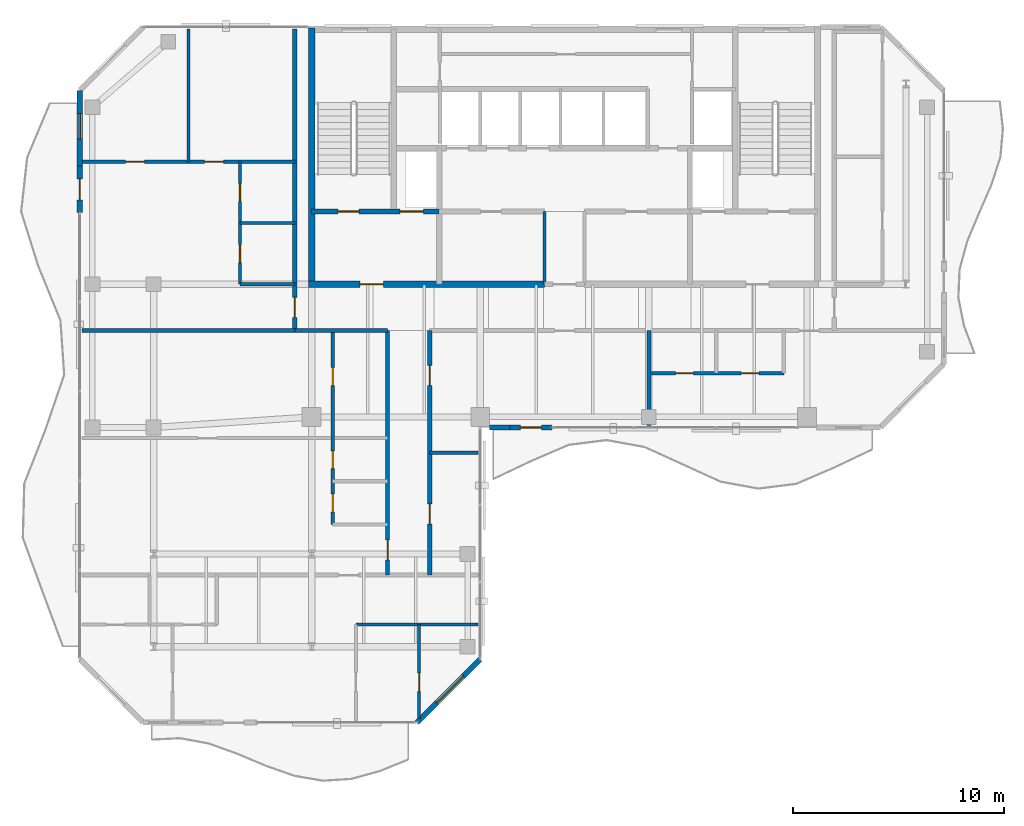
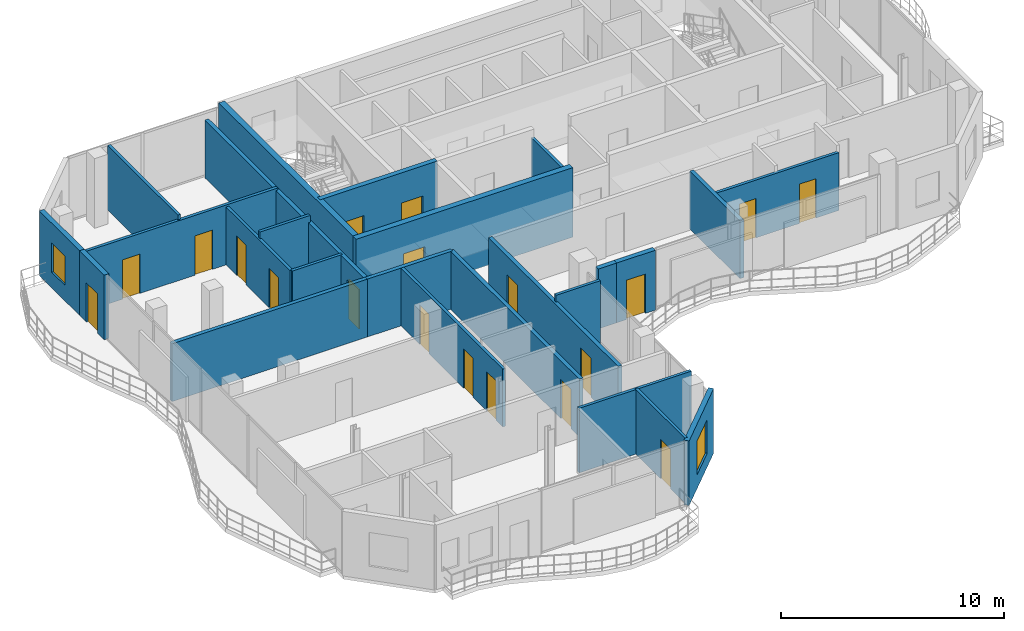
# One storey, part 18 of 23: 25 walls, 19 doors, 2 windows, 21 openings.
"""IFC4 building model written with IfcOpenShell, lengths in metres."""

import ifcopenshell
import ifcopenshell.guid

model = None  # the IFC model being written
_history = None  # IfcOwnerHistory: only IFC2X3 demands one
_inside = {}  # id of a spatial element -> (the spatial element, [elements in it])
_under = {}  # id of a project, library or spatial element -> (it, [spatial elements below it])
_declared = {}  # id of a project -> (the project, [libraries it declares])
_typed = {}  # id of a type object -> (the type object, [elements of that type])
_made_of = {}  # id of a material, layer set ... -> (it, [elements and type objects made of it])


def new_model(schema):
    """Start an empty IFC model of exactly this schema.

    Asked for "IFC4X3", IfcOpenShell would pick the latest addendum, in which some entities
    have other attributes; the version numbers below select the first issue.
    IFC2X3 requires an IfcOwnerHistory on every rooted entity: one is made here for all.
    """
    global model, _history
    if schema == "IFC4X3":
        model = ifcopenshell.file(schema_version=(4, 3, 0, 0))
    else:
        model = ifcopenshell.file(schema=schema)
    _inside.clear()
    _under.clear()
    _declared.clear()
    _typed.clear()
    _made_of.clear()
    _history = None
    if model.schema == "IFC2X3":
        org = make("IfcOrganization", Name="unknown")
        user = make(
            "IfcPersonAndOrganization",
            ThePerson=make("IfcPerson", FamilyName="unknown"),
            TheOrganization=org,
        )
        app = make(
            "IfcApplication",
            ApplicationDeveloper=org,
            Version="unknown",
            ApplicationFullName="unknown",
            ApplicationIdentifier="unknown",
        )
        _history = make(
            "IfcOwnerHistory",
            OwningUser=user,
            OwningApplication=app,
            ChangeAction="ADDED",
            CreationDate=0,
        )
    return model


def make(cls, **values):
    """One entity of the class cls with the attributes given. An attribute that is None is left unset."""
    return model.create_entity(
        cls, **{name: value for name, value in values.items() if value is not None}
    )


def rooted(cls, **values):
    """An entity with a GlobalId (a new one), such as an element, a storey or a relation."""
    return make(cls, GlobalId=ifcopenshell.guid.new(), OwnerHistory=_history, **values)


def si_unit(unit_type, name, prefix=None):
    """IfcSIUnit, for example si_unit("LENGTHUNIT", "METRE", prefix="MILLI")."""
    return make("IfcSIUnit", UnitType=unit_type, Prefix=prefix, Name=name)


def assignment(units):
    """IfcUnitAssignment: the units of a project."""
    return None if units is None else make("IfcUnitAssignment", Units=units)


def point(xyz):
    """IfcCartesianPoint."""
    return None if xyz is None else make("IfcCartesianPoint", Coordinates=xyz)


def direction(xyz):
    """IfcDirection."""
    return None if xyz is None else make("IfcDirection", DirectionRatios=xyz)


def frame(location, z_axis=None, x_axis=None):
    """IfcAxis2Placement3D, a coordinate frame: its origin and axes. An axis left out is left unset."""
    return make(
        "IfcAxis2Placement3D",
        Location=point(location),
        Axis=direction(z_axis),
        RefDirection=direction(x_axis),
    )


def frame_2d(location, x_axis=None):
    """IfcAxis2Placement2D, a coordinate frame in the plane: its origin and x axis."""
    return make(
        "IfcAxis2Placement2D", Location=point(location), RefDirection=direction(x_axis)
    )


def origin():
    """The frame at (0, 0, 0) with its axes left unset."""
    return frame((0.0, 0.0, 0.0))


def place(relative_to, where):
    """IfcLocalPlacement: puts the frame where relative to a parent placement (None: the world)."""
    return make(
        "IfcLocalPlacement", PlacementRelTo=relative_to, RelativePlacement=where
    )


def context(
    kind, dimensions, precision=None, world=None, true_north=None, identifier=None
):
    """IfcGeometricRepresentationContext, for example the 3D "Model" context."""
    return make(
        "IfcGeometricRepresentationContext",
        ContextIdentifier=identifier,
        ContextType=kind,
        CoordinateSpaceDimension=dimensions,
        Precision=precision,
        WorldCoordinateSystem=world,
        TrueNorth=true_north,
    )


def subcontext(parent, identifier, kind, view, scale=None):
    """IfcGeometricRepresentationSubContext, for example "Body" below "Model"."""
    return make(
        "IfcGeometricRepresentationSubContext",
        ContextIdentifier=identifier,
        ContextType=kind,
        ParentContext=parent,
        TargetScale=scale,
        TargetView=view,
    )


def project(units=None, contexts=None):
    """IfcProject with its units and contexts."""
    return rooted(
        "IfcProject",
        Name="project",
        RepresentationContexts=contexts,
        UnitsInContext=assignment(units),
    )


def spatial(cls, under=None, at=None, **own):
    """A site, building, storey or space (cls), placed at a placement, below another one or the project."""
    s = rooted(cls, ObjectPlacement=at, **own)
    if under is not None:
        _under.setdefault(under.id(), (under, []))[1].append(s)
    return s


def profile(cls, at=None, kind="AREA", **sizes):
    """A parametric profile (cls). Its sizes go by their IFC names, for example OverallWidth=200.0."""
    return make(cls, ProfileType=kind, Position=at, **sizes)


def rectangle(**sizes):
    """IfcRectangleProfileDef."""
    return profile("IfcRectangleProfileDef", **sizes)


def extrude(swept, where, along, depth):
    """IfcExtrudedAreaSolid: the profile swept, set in the frame where, extruded along a direction by depth."""
    return make(
        "IfcExtrudedAreaSolid",
        SweptArea=swept,
        Position=where,
        ExtrudedDirection=direction(along),
        Depth=depth,
    )


def shape(context_of_items, identifier, shape_type, items):
    """IfcShapeRepresentation: the items that make up one representation, for example the "Body"."""
    return make(
        "IfcShapeRepresentation",
        ContextOfItems=context_of_items,
        RepresentationIdentifier=identifier,
        RepresentationType=shape_type,
        Items=items,
    )


def material(Name=None, Category=None):
    """IfcMaterial."""
    return make("IfcMaterial", Name=Name, Category=Category)


def layer(
    of_material, thickness, ventilated=None, Name=None, Category=None, Priority=None
):
    """IfcMaterialLayer: one layer of a wall or slab, of a material (None: an air gap)."""
    return make(
        "IfcMaterialLayer",
        Material=of_material,
        LayerThickness=thickness,
        IsVentilated=ventilated,
        Name=Name,
        Category=Category,
        Priority=Priority,
    )


def layer_set(layers, Name=None):
    """IfcMaterialLayerSet."""
    return make("IfcMaterialLayerSet", MaterialLayers=layers, LayerSetName=Name)


def made_of(thing, what):
    """Note that an element or type object is made of a material, layer set ...; save() writes the relation."""
    if what is not None:
        _made_of.setdefault(what.id(), (what, []))[1].append(thing)
    return thing


def type_object(cls, material=None, **own):
    """A type object (cls), such as IfcWallType, which elements share."""
    return made_of(rooted(cls, **own), material)


def element(
    cls,
    number,
    at=None,
    inside=None,
    cuts=None,
    type_object=None,
    material=None,
    context=None,
    identifier="Body",
    shape_type=None,
    held_by="IfcProductDefinitionShape",
    body=None,
    shapes=None,
    **own,
):
    """One element of the class cls, such as IfcWall. Its Tag is "e" and its number.

    at: its placement. inside: the storey or other place that contains it. cuts: it is an
    opening in that element (IfcRelVoidsElement). A single representation is given by context,
    identifier, shape_type and body (its items); several are given by shapes. held_by: the class
    of the entity that holds the representations. save() writes the other relations.
    """
    e = rooted(cls, Tag="e%d" % number, ObjectPlacement=at, **own)
    if body is not None:
        shapes = [shape(context, identifier, shape_type, body)]
    if shapes is not None:
        e.Representation = make(held_by, Representations=shapes)
    if inside is not None:
        _inside.setdefault(inside.id(), (inside, []))[1].append(e)
    if cuts is not None:
        rooted(
            "IfcRelVoidsElement", RelatingBuildingElement=cuts, RelatedOpeningElement=e
        )
    if type_object is not None:
        _typed.setdefault(type_object.id(), (type_object, []))[1].append(e)
    return made_of(e, material)


def fill(opening, filler):
    """IfcRelFillsElement: the door or window that sits in an opening."""
    return rooted(
        "IfcRelFillsElement",
        RelatingOpeningElement=opening,
        RelatedBuildingElement=filler,
    )


def aggregate(whole, parts):
    """IfcRelAggregates: a whole, such as a stair, and the parts it consists of."""
    return rooted("IfcRelAggregates", RelatingObject=whole, RelatedObjects=parts)


def save(model, path):
    """Write the relations noted so far, then the file.

    IfcRelAggregates (storeys below a building ...), IfcRelContainedInSpatialStructure (elements
    in a storey), IfcRelDefinesByType, IfcRelAssociatesMaterial and IfcRelDeclares: one each for
    every whole, place, type object, material and project.
    """
    for whole, parts in _under.values():
        aggregate(whole, parts)
    for where, things in _inside.values():
        rooted(
            "IfcRelContainedInSpatialStructure",
            RelatedElements=things,
            RelatingStructure=where,
        )
    for kind, things in _typed.values():
        rooted("IfcRelDefinesByType", RelatedObjects=things, RelatingType=kind)
    for what, things in _made_of.values():
        rooted("IfcRelAssociatesMaterial", RelatedObjects=things, RelatingMaterial=what)
    for by, libraries in _declared.values():
        rooted("IfcRelDeclares", RelatingContext=by, RelatedDefinitions=libraries)
    model.write(path)


model = new_model("IFC4")

# Units and contexts
model_context = context("Model", 3, precision=1e-05, world=origin(), true_north=direction((0.0, 1.0)))
body_context = subcontext(model_context, "Body", "Model", "MODEL_VIEW")
ifc_project = project(units=[si_unit("LENGTHUNIT", "METRE"), si_unit("AREAUNIT", "SQUARE_METRE"), si_unit("VOLUMEUNIT", "CUBIC_METRE"), si_unit("PLANEANGLEUNIT", "RADIAN"), si_unit("MASSUNIT", "GRAM", prefix="KILO")], contexts=[model_context])

# Site, building, storey
site_placement = place(None, origin())
site = spatial("IfcSite", under=ifc_project, at=site_placement, CompositionType="ELEMENT")
building_placement = place(site_placement, origin())
building = spatial("IfcBuilding", under=site, at=building_placement, Name="Catumbela Crestline Tower", CompositionType="ELEMENT")
storey_placement = place(building_placement, frame((0.0, 0.0, 252.6)))
storey = spatial("IfcBuildingStorey", under=building, at=storey_placement, Name="L65", CompositionType="ELEMENT", Elevation=252.6)

# Wall, openings, doors
ifc_material_1 = material(Name="Concrete C50/60", Category="concrete")
ifc_layer_1 = layer(ifc_material_1, 0.25, Name="Concrete C50/60")
ifc_layer_set_1 = layer_set([ifc_layer_1], Name="Concrete C50/60")
wall_type_1 = type_object("IfcWallType", Name="CW-250D", PredefinedType="SHEAR", material=ifc_layer_set_1)
wall_1_placement = place(storey_placement, frame((16.0, 34.25, 0.0), z_axis=(0.0, 0.0, 1.0), x_axis=(1.0, 0.0, 0.0)))
wall_1 = element("IfcWall", 1, at=wall_1_placement, inside=storey, type_object=wall_type_1, Name="L65 Structural Core Shear Wall ST1S", PredefinedType="SHEAR", context=body_context, shape_type="SweptSolid", body=[
    extrude(rectangle(XDim=6.05, YDim=0.25, at=frame_2d((3.025, 0.0))), origin(), (0.0, 0.0, 1.0), 3.8),
])
opening_1_placement = place(wall_1_placement, frame((1.25, 0.0, 0.0)))
opening_1 = element("IfcOpeningElement", 2, at=opening_1_placement, cuts=wall_1, Name="Opening DF9-100", PredefinedType="OPENING", context=body_context, shape_type="SweptSolid", body=[
    extrude(rectangle(XDim=1.0, YDim=2.15, at=frame_2d((0.5, 1.075))), frame((0.0, 0.135, 0.0), z_axis=(0.0, -1.0, 0.0), x_axis=(1.0, 0.0, 0.0)), (0.0, 0.0, 1.0), 0.27),
])
opening_2_placement = place(wall_1_placement, frame((4.2, 0.0, 0.0)))
opening_2 = element("IfcOpeningElement", 3, at=opening_2_placement, cuts=wall_1, Name="Opening LD-110", PredefinedType="OPENING", context=body_context, shape_type="SweptSolid", body=[
    extrude(rectangle(XDim=1.1, YDim=2.15, at=frame_2d((0.55, 1.075))), frame((0.0, 0.135, 0.0), z_axis=(0.0, -1.0, 0.0), x_axis=(1.0, 0.0, 0.0)), (0.0, 0.0, 1.0), 0.27),
])
ifc_material_2 = material(Name="Stainless steel EN 1.4401", Category="steel")
door_type_1 = type_object("IfcDoorType", Name="DF9-100", OperationType="NOTDEFINED", PredefinedType="DOOR", material=ifc_material_2)
door_1_placement = place(opening_1_placement, origin())
door_1 = element("IfcDoor", 4, at=door_1_placement, inside=storey, type_object=door_type_1, Name="L65 Interior Door DR-L65-ST01", OperationType="SINGLE_SWING_LEFT", OverallHeight=2.15, OverallWidth=1.0, PredefinedType="DOOR", context=body_context, shape_type="SweptSolid", body=[
    extrude(rectangle(XDim=1.0, YDim=2.15, at=frame_2d((0.5, 1.075))), frame((0.0, 0.025, 0.0), z_axis=(0.0, -1.0, 0.0), x_axis=(1.0, 0.0, 0.0)), (0.0, 0.0, 1.0), 0.05),
])
fill(opening_1, door_1)
door_type_2 = type_object("IfcDoorType", Name="LD-110", OperationType="NOTDEFINED", PredefinedType="DOOR", material=ifc_material_2)
door_2_placement = place(opening_2_placement, origin())
door_2 = element("IfcDoor", 5, at=door_2_placement, inside=storey, type_object=door_type_2, Name="L65 Lift Landing Sliding Door FL-01", OperationType="DOUBLE_DOOR_SLIDING", OverallHeight=2.15, OverallWidth=1.1, PredefinedType="DOOR", context=body_context, shape_type="SweptSolid", body=[
    extrude(rectangle(XDim=1.1, YDim=2.15, at=frame_2d((0.55, 1.075))), frame((0.0, 0.025, 0.0), z_axis=(0.0, -1.0, 0.0), x_axis=(1.0, 0.0, 0.0)), (0.0, 0.0, 1.0), 0.05),
])
fill(opening_2, door_2)

# Wall
ifc_material_3 = material(Name="Concrete C45/55", Category="concrete")
ifc_layer_2 = layer(ifc_material_3, 0.3, Name="Concrete C45/55")
ifc_layer_set_2 = layer_set([ifc_layer_2], Name="Concrete C45/55")
wall_type_2 = type_object("IfcWallType", Name="CW-300C", PredefinedType="SHEAR", material=ifc_layer_set_2)
wall_2_placement = place(storey_placement, frame((16.0, 30.65, 0.0), z_axis=(0.0, 0.0, 1.0), x_axis=(0.0, 1.0, 0.0)))
element("IfcWall", 6, at=wall_2_placement, inside=storey, type_object=wall_type_2, Name="L65 Structural Core Shear Wall W", PredefinedType="SHEAR", context=body_context, shape_type="SweptSolid", body=[
    extrude(rectangle(XDim=12.3, YDim=0.3, at=frame_2d((6.15, 0.0))), origin(), (0.0, 0.0, 1.0), 3.8),
])

# Wall, opening, door
wall_3_placement = place(storey_placement, frame((15.85, 30.8, 0.0), z_axis=(0.0, 0.0, 1.0), x_axis=(1.0, 0.0, 0.0)))
wall_3 = element("IfcWall", 7, at=wall_3_placement, inside=storey, type_object=wall_type_2, Name="L65 Structural Core Shear Wall SW", PredefinedType="SHEAR", context=body_context, shape_type="SweptSolid", body=[
    extrude(rectangle(XDim=11.2, YDim=0.3, at=frame_2d((5.6, 0.0))), origin(), (0.0, 0.0, 1.0), 3.8),
])
opening_3_placement = place(wall_3_placement, frame((2.45, 0.0, 0.0)))
opening_3 = element("IfcOpeningElement", 8, at=opening_3_placement, cuts=wall_3, Name="Opening DF9-110", PredefinedType="OPENING", context=body_context, shape_type="SweptSolid", body=[
    extrude(rectangle(XDim=1.1, YDim=2.15, at=frame_2d((0.55, 1.075))), frame((0.0, 0.16, 0.0), z_axis=(0.0, -1.0, 0.0), x_axis=(1.0, 0.0, 0.0)), (0.0, 0.0, 1.0), 0.32),
])
door_type_3 = type_object("IfcDoorType", Name="DF9-110", OperationType="NOTDEFINED", PredefinedType="DOOR", material=ifc_material_2)
door_3_placement = place(opening_3_placement, origin())
door_3 = element("IfcDoor", 9, at=door_3_placement, inside=storey, type_object=door_type_3, Name="L65 Interior Door DR-L65-FFW-S", OperationType="SINGLE_SWING_LEFT", OverallHeight=2.15, OverallWidth=1.1, PredefinedType="DOOR", context=body_context, shape_type="SweptSolid", body=[
    extrude(rectangle(XDim=1.1, YDim=2.15, at=frame_2d((0.55, 1.075))), frame((0.0, 0.025, 0.0), z_axis=(0.0, -1.0, 0.0), x_axis=(1.0, 0.0, 0.0)), (0.0, 0.0, 1.0), 0.05),
])
fill(opening_3, door_3)

# Wall
ifc_material_4 = material(Name="Acoustic gypsum and mineral-wool partition")
ifc_layer_3 = layer(ifc_material_4, 0.2, Name="Acoustic gypsum and mineral-wool partition")
ifc_layer_set_3 = layer_set([ifc_layer_3], Name="Acoustic gypsum and mineral-wool partition")
wall_type_3 = type_object("IfcWallType", Name="WC-200", PredefinedType="PARTITIONING", material=ifc_layer_set_3)
wall_4_placement = place(storey_placement, frame((15.2, 28.6, 0.0), z_axis=(0.0, 0.0, 1.0), x_axis=(1.0, 0.0, 0.0)))
element("IfcWall", 10, at=wall_4_placement, inside=storey, type_object=wall_type_3, Name="L65 Interior Partition PW-L65-RCWL", PredefinedType="PARTITIONING", context=body_context, shape_type="SweptSolid", body=[
    extrude(rectangle(XDim=4.4, YDim=0.2, at=frame_2d((2.2, 0.0))), origin(), (0.0, 0.0, 1.0), 3.16),
])

# Wall, opening, door
wall_5_placement = place(storey_placement, frame((15.2, 28.6, 0.0), z_axis=(0.0, 0.0, 1.0), x_axis=(0.0, 1.0, 0.0)))
wall_5 = element("IfcWall", 11, at=wall_5_placement, inside=storey, type_object=wall_type_3, Name="L65 Interior Partition PW-L65-NW1-ENT", PredefinedType="PARTITIONING", context=body_context, shape_type="SweptSolid", body=[
    extrude(rectangle(XDim=14.3, YDim=0.2, at=frame_2d((7.15, 0.0))), origin(), (0.0, 0.0, 1.0), 3.16),
])
opening_4_placement = place(wall_5_placement, frame((0.625, 0.0, 0.0)))
opening_4 = element("IfcOpeningElement", 12, at=opening_4_placement, cuts=wall_5, Name="Opening DF6-095", PredefinedType="OPENING", context=body_context, shape_type="SweptSolid", body=[
    extrude(rectangle(XDim=0.95, YDim=2.15, at=frame_2d((0.475, 1.075))), frame((0.0, 0.11, 0.0), z_axis=(0.0, -1.0, 0.0), x_axis=(1.0, 0.0, 0.0)), (0.0, 0.0, 1.0), 0.22),
])
ifc_material_5 = material(Name="Aluminium alloy AW-6060-T66", Category="aluminium")
door_type_4 = type_object("IfcDoorType", Name="DF6-095", OperationType="NOTDEFINED", PredefinedType="DOOR", material=ifc_material_5)
door_4_placement = place(opening_4_placement, origin())
door_4 = element("IfcDoor", 13, at=door_4_placement, inside=storey, type_object=door_type_4, Name="L65 Interior Door DR-L65-NW1-ENT", OperationType="SINGLE_SWING_LEFT", OverallHeight=2.15, OverallWidth=0.95, PredefinedType="DOOR", context=body_context, shape_type="SweptSolid", body=[
    extrude(rectangle(XDim=0.95, YDim=2.15, at=frame_2d((0.475, 1.075))), frame((0.0, 0.025, 0.0), z_axis=(0.0, -1.0, 0.0), x_axis=(1.0, 0.0, 0.0)), (0.0, 0.0, 1.0), 0.05),
])
fill(opening_4, door_4)

wall_6_placement = place(storey_placement, frame((19.6, 17.0, 0.0), z_axis=(0.0, 0.0, 1.0), x_axis=(0.0, 1.0, 0.0)))
wall_6 = element("IfcWall", 14, at=wall_6_placement, inside=storey, type_object=wall_type_3, Name="L65 Interior Partition PW-L65-WL1-ENT", PredefinedType="PARTITIONING", context=body_context, shape_type="SweptSolid", body=[
    extrude(rectangle(XDim=11.6, YDim=0.2, at=frame_2d((5.8, 0.0))), origin(), (0.0, 0.0, 1.0), 3.16),
])
opening_5_placement = place(wall_6_placement, frame((0.723, 0.0, 0.0)))
opening_5 = element("IfcOpeningElement", 15, at=opening_5_placement, cuts=wall_6, Name="Opening DF6-095", PredefinedType="OPENING", context=body_context, shape_type="SweptSolid", body=[
    extrude(rectangle(XDim=0.95, YDim=2.15, at=frame_2d((0.475, 1.075))), frame((0.0, 0.11, 0.0), z_axis=(0.0, -1.0, 0.0), x_axis=(1.0, 0.0, 0.0)), (0.0, 0.0, 1.0), 0.22),
])
door_5_placement = place(opening_5_placement, origin())
door_5 = element("IfcDoor", 16, at=door_5_placement, inside=storey, type_object=door_type_4, Name="L65 Interior Door DR-L65-WL1-ENT", OperationType="SINGLE_SWING_LEFT", OverallHeight=2.15, OverallWidth=0.95, PredefinedType="DOOR", context=body_context, shape_type="SweptSolid", body=[
    extrude(rectangle(XDim=0.95, YDim=2.15, at=frame_2d((0.475, 1.075))), frame((0.0, 0.025, 0.0), z_axis=(0.0, -1.0, 0.0), x_axis=(1.0, 0.0, 0.0)), (0.0, 0.0, 1.0), 0.05),
])
fill(opening_5, door_5)

# Wall, openings, doors
wall_7_placement = place(storey_placement, frame((21.6, 17.0, 0.0), z_axis=(0.0, 0.0, 1.0), x_axis=(0.0, 1.0, 0.0)))
wall_7 = element("IfcWall", 17, at=wall_7_placement, inside=storey, type_object=wall_type_3, Name="L65 Interior Partition PW-L65-RWMT-ENT", PredefinedType="PARTITIONING", context=body_context, shape_type="SweptSolid", body=[
    extrude(rectangle(XDim=11.6, YDim=0.2, at=frame_2d((5.8, 0.0))), origin(), (0.0, 0.0, 1.0), 3.16),
])
opening_6_placement = place(wall_7_placement, frame((8.9941, 0.0, 0.0)))
opening_6 = element("IfcOpeningElement", 18, at=opening_6_placement, cuts=wall_7, Name="Opening DF6-095", PredefinedType="OPENING", context=body_context, shape_type="SweptSolid", body=[
    extrude(rectangle(XDim=0.95, YDim=2.15, at=frame_2d((0.475, 1.075))), frame((0.0, 0.11, 0.0), z_axis=(0.0, -1.0, 0.0), x_axis=(1.0, 0.0, 0.0)), (0.0, 0.0, 1.0), 0.22),
])
opening_7_placement = place(wall_7_placement, frame((2.425, 0.0, 0.0)))
opening_7 = element("IfcOpeningElement", 19, at=opening_7_placement, cuts=wall_7, Name="Opening DF6-095", PredefinedType="OPENING", context=body_context, shape_type="SweptSolid", body=[
    extrude(rectangle(XDim=0.95, YDim=2.15, at=frame_2d((0.475, 1.075))), frame((0.0, 0.11, 0.0), z_axis=(0.0, -1.0, 0.0), x_axis=(1.0, 0.0, 0.0)), (0.0, 0.0, 1.0), 0.22),
])
door_6_placement = place(opening_6_placement, origin())
door_6 = element("IfcDoor", 20, at=door_6_placement, inside=storey, type_object=door_type_4, Name="L65 Interior Door DR-L65-RWMT-ENT", OperationType="SINGLE_SWING_LEFT", OverallHeight=2.15, OverallWidth=0.95, PredefinedType="DOOR", context=body_context, shape_type="SweptSolid", body=[
    extrude(rectangle(XDim=0.95, YDim=2.15, at=frame_2d((0.475, 1.075))), frame((0.0, 0.025, 0.0), z_axis=(0.0, -1.0, 0.0), x_axis=(1.0, 0.0, 0.0)), (0.0, 0.0, 1.0), 0.05),
])
fill(opening_6, door_6)
door_7_placement = place(opening_7_placement, origin())
door_7 = element("IfcDoor", 21, at=door_7_placement, inside=storey, type_object=door_type_4, Name="L65 Interior Door DR-L65-RWLN-ENT", OperationType="SINGLE_SWING_RIGHT", OverallHeight=2.15, OverallWidth=0.95, PredefinedType="DOOR", context=body_context, shape_type="SweptSolid", body=[
    extrude(rectangle(XDim=0.95, YDim=2.15, at=frame_2d((0.475, 1.075))), frame((0.0, 0.025, 0.0), z_axis=(0.0, -1.0, 0.0), x_axis=(1.0, 0.0, 0.0)), (0.0, 0.0, 1.0), 0.05),
])
fill(opening_7, door_7)

# Wall, opening, window
ifc_material_6 = material(Name="Angolan grey-ochre granite", Category="masonry")
ifc_layer_4 = layer(ifc_material_6, 0.25, Name="Angolan grey-ochre granite")
ifc_layer_set_4 = layer_set([ifc_layer_4], Name="Angolan grey-ochre granite")
wall_type_4 = type_object("IfcWallType", Name="WE-250", PredefinedType="STANDARD", material=ifc_layer_set_4)
wall_8_placement = place(storey_placement, frame((21.0, 10.0, 0.0), z_axis=(0.0, 0.0, 1.0), x_axis=(0.707106781187, 0.707106781187, 0.0)))
wall_8 = element("IfcWall", 22, at=wall_8_placement, inside=storey, type_object=wall_type_4, Name="L65 Granite Punched Window Wall 1-1", PredefinedType="STANDARD", context=body_context, shape_type="SweptSolid", body=[
    extrude(rectangle(XDim=4.2426, YDim=0.25, at=frame_2d((2.1213, 0.0))), origin(), (0.0, 0.0, 1.0), 3.53),
])
opening_8_placement = place(wall_8_placement, frame((1.3173, 0.0, 0.75)))
opening_8 = element("IfcOpeningElement", 23, at=opening_8_placement, cuts=wall_8, Name="Opening WN-01", PredefinedType="OPENING", context=body_context, shape_type="SweptSolid", body=[
    extrude(rectangle(XDim=1.8, YDim=1.85, at=frame_2d((0.9, 0.925))), frame((0.0, 0.135, 0.0), z_axis=(0.0, -1.0, 0.0), x_axis=(1.0, 0.0, 0.0)), (0.0, 0.0, 1.0), 0.27),
])
ifc_material_7 = material(Name="Low-E laminated solar-control double glazing", Category="glass")
window_type_1 = type_object("IfcWindowType", Name="WF-1800", PartitioningType="SINGLE_PANEL", PredefinedType="WINDOW", material=ifc_material_7)
window_1_placement = place(opening_8_placement, origin())
window_1 = element("IfcWindow", 24, at=window_1_placement, inside=storey, type_object=window_type_1, Name="L65 Facade Vision Window 495", OverallHeight=1.85, OverallWidth=1.8, PartitioningType="SINGLE_PANEL", PredefinedType="WINDOW", context=body_context, shape_type="SweptSolid", body=[
    extrude(rectangle(XDim=1.8, YDim=1.85, at=frame_2d((0.9, 0.925))), frame((0.0, 0.03, 0.0), z_axis=(0.0, -1.0, 0.0), x_axis=(1.0, 0.0, 0.0)), (0.0, 0.0, 1.0), 0.06),
])
fill(opening_8, window_1)

# Wall, opening, door
wall_9_placement = place(storey_placement, frame((25.4, 24.0, 0.0), z_axis=(0.0, 0.0, 1.0), x_axis=(1.0, 0.0, 0.0)))
wall_9 = element("IfcWall", 25, at=wall_9_placement, inside=storey, type_object=wall_type_4, Name="L65 Exterior Threshold Portal Wall DR-L65-WBAL-1", PredefinedType="STANDARD", context=body_context, shape_type="SweptSolid", body=[
    extrude(rectangle(XDim=2.0, YDim=0.25, at=frame_2d((1.0, 0.0))), origin(), (0.0, 0.0, 1.0), 3.27),
])
opening_9_placement = place(wall_9_placement, frame((0.5, 0.0, 0.0)))
opening_9 = element("IfcOpeningElement", 26, at=opening_9_placement, cuts=wall_9, Name="Opening DB-L65-1", PredefinedType="OPENING", context=body_context, shape_type="SweptSolid", body=[
    extrude(rectangle(XDim=1.0, YDim=2.15, at=frame_2d((0.5, 1.075))), frame((0.0, 0.135, 0.0), z_axis=(0.0, -1.0, 0.0), x_axis=(1.0, 0.0, 0.0)), (0.0, 0.0, 1.0), 0.27),
])
door_type_5 = type_object("IfcDoorType", Name="DB-1000", OperationType="NOTDEFINED", PredefinedType="DOOR", material=ifc_material_5)
door_8_placement = place(opening_9_placement, origin())
door_8 = element("IfcDoor", 27, at=door_8_placement, inside=storey, type_object=door_type_5, Name="L65 Wave Balcony Terrace Door 1", OperationType="SINGLE_SWING_LEFT", OverallHeight=2.15, OverallWidth=1.0, PredefinedType="DOOR", context=body_context, shape_type="SweptSolid", body=[
    extrude(rectangle(XDim=1.0, YDim=2.15, at=frame_2d((0.5, 1.075))), frame((0.0, 0.025, 0.0), z_axis=(0.0, -1.0, 0.0), x_axis=(1.0, 0.0, 0.0)), (0.0, 0.0, 1.0), 0.05),
])
fill(opening_9, door_8)

# Wall
wall_10_placement = place(storey_placement, frame((24.45, 24.0, 0.0), z_axis=(0.0, 0.0, 1.0), x_axis=(1.0, 0.0, 0.0)))
element("IfcWall", 28, at=wall_10_placement, inside=storey, type_object=wall_type_4, Name="L65 Granite Punched Window Wall 3-1", PredefinedType="STANDARD", context=body_context, shape_type="SweptSolid", body=[
    extrude(rectangle(XDim=0.95, YDim=0.25, at=frame_2d((0.475, 0.0))), origin(), (0.0, 0.0, 1.0), 3.27),
])

# Wall, opening, door
wall_11_placement = place(storey_placement, frame((5.0, 36.4, 0.0), z_axis=(0.0, 0.0, 1.0), x_axis=(0.0, -1.0, 0.0)))
wall_11 = element("IfcWall", 29, at=wall_11_placement, inside=storey, type_object=wall_type_4, Name="L65 Exterior Threshold Portal Wall DR-L65-WBAL-4", PredefinedType="STANDARD", context=body_context, shape_type="SweptSolid", body=[
    extrude(rectangle(XDim=2.2, YDim=0.25, at=frame_2d((1.1, 0.0))), origin(), (0.0, 0.0, 1.0), 3.53),
])
opening_10_placement = place(wall_11_placement, frame((0.6, 0.0, 0.0)))
opening_10 = element("IfcOpeningElement", 30, at=opening_10_placement, cuts=wall_11, Name="Opening DB-L65-4", PredefinedType="OPENING", context=body_context, shape_type="SweptSolid", body=[
    extrude(rectangle(XDim=1.0, YDim=2.15, at=frame_2d((0.5, 1.075))), frame((0.0, 0.135, 0.0), z_axis=(0.0, -1.0, 0.0), x_axis=(1.0, 0.0, 0.0)), (0.0, 0.0, 1.0), 0.27),
])
door_9_placement = place(opening_10_placement, origin())
door_9 = element("IfcDoor", 31, at=door_9_placement, inside=storey, type_object=door_type_5, Name="L65 Wave Balcony Terrace Door 4", OperationType="SINGLE_SWING_RIGHT", OverallHeight=2.15, OverallWidth=1.0, PredefinedType="DOOR", context=body_context, shape_type="SweptSolid", body=[
    extrude(rectangle(XDim=1.0, YDim=2.15, at=frame_2d((0.5, 1.075))), frame((0.0, 0.025, 0.0), z_axis=(0.0, -1.0, 0.0), x_axis=(1.0, 0.0, 0.0)), (0.0, 0.0, 1.0), 0.05),
])
fill(opening_10, door_9)

# Wall, opening, window
wall_12_placement = place(storey_placement, frame((5.0, 40.0, 0.0), z_axis=(0.0, 0.0, 1.0), x_axis=(0.0, -1.0, 0.0)))
wall_12 = element("IfcWall", 32, at=wall_12_placement, inside=storey, type_object=wall_type_4, Name="L65 Granite Punched Window Wall 9-1", PredefinedType="STANDARD", context=body_context, shape_type="SweptSolid", body=[
    extrude(rectangle(XDim=3.6, YDim=0.25, at=frame_2d((1.8, 0.0))), origin(), (0.0, 0.0, 1.0), 3.53),
])
opening_11_placement = place(wall_12_placement, frame((1.106, 0.0, 0.85)))
opening_11 = element("IfcOpeningElement", 33, at=opening_11_placement, cuts=wall_12, Name="Opening WN-02", PredefinedType="OPENING", context=body_context, shape_type="SweptSolid", body=[
    extrude(rectangle(XDim=1.2, YDim=1.6, at=frame_2d((0.6, 0.8))), frame((0.0, 0.135, 0.0), z_axis=(0.0, -1.0, 0.0), x_axis=(1.0, 0.0, 0.0)), (0.0, 0.0, 1.0), 0.27),
])
window_type_2 = type_object("IfcWindowType", Name="WO-1200", PartitioningType="SINGLE_PANEL", PredefinedType="WINDOW", material=ifc_material_7)
window_2_placement = place(opening_11_placement, origin())
window_2 = element("IfcWindow", 34, at=window_2_placement, inside=storey, type_object=window_type_2, Name="L65 Facade Vision Window 502", OverallHeight=1.6, OverallWidth=1.2, PartitioningType="SINGLE_PANEL", PredefinedType="WINDOW", context=body_context, shape_type="SweptSolid", body=[
    extrude(rectangle(XDim=1.2, YDim=1.6, at=frame_2d((0.6, 0.8))), frame((0.0, 0.03, 0.0), z_axis=(0.0, -1.0, 0.0), x_axis=(1.0, 0.0, 0.0)), (0.0, 0.0, 1.0), 0.06),
])
fill(opening_11, window_2)

# Walls
ifc_layer_5 = layer(ifc_material_4, 0.15, Name="Acoustic gypsum and mineral-wool partition")
ifc_layer_set_5 = layer_set([ifc_layer_5], Name="Acoustic gypsum and mineral-wool partition")
wall_type_5 = type_object("IfcWallType", Name="WP-150", PredefinedType="PARTITIONING", material=ifc_layer_set_5)
wall_13_placement = place(storey_placement, frame((12.6, 30.8, 0.0), z_axis=(0.0, 0.0, 1.0), x_axis=(1.0, 0.0, 0.0)))
element("IfcWall", 35, at=wall_13_placement, inside=storey, type_object=wall_type_5, Name="L65 Interior Partition PW-L65-NW1-KBS", PredefinedType="PARTITIONING", context=body_context, shape_type="SweptSolid", body=[
    extrude(rectangle(XDim=2.6, YDim=0.15, at=frame_2d((1.3, 0.0))), origin(), (0.0, 0.0, 1.0), 3.16),
])
wall_14_placement = place(storey_placement, frame((12.6, 33.704, 0.0), z_axis=(0.0, 0.0, 1.0), x_axis=(1.0, 0.0, 0.0)))
element("IfcWall", 36, at=wall_14_placement, inside=storey, type_object=wall_type_5, Name="L65 Interior Partition PW-L65-NW1-KBM", PredefinedType="PARTITIONING", context=body_context, shape_type="SweptSolid", body=[
    extrude(rectangle(XDim=2.6, YDim=0.15, at=frame_2d((1.3, 0.0))), origin(), (0.0, 0.0, 1.0), 3.53),
])

# Wall, openings, doors
wall_15_placement = place(storey_placement, frame((5.1, 36.608, 0.0), z_axis=(0.0, 0.0, 1.0), x_axis=(1.0, 0.0, 0.0)))
wall_15 = element("IfcWall", 37, at=wall_15_placement, inside=storey, type_object=wall_type_5, Name="L65 Interior Partition PW-L65-NW1-KBN", PredefinedType="PARTITIONING", context=body_context, shape_type="SweptSolid", body=[
    extrude(rectangle(XDim=10.1, YDim=0.15, at=frame_2d((5.05, 0.0))), origin(), (0.0, 0.0, 1.0), 3.27),
])
opening_12_placement = place(wall_15_placement, frame((2.075, 0.0, 0.0)))
opening_12 = element("IfcOpeningElement", 38, at=opening_12_placement, cuts=wall_15, Name="Opening DI-090", PredefinedType="OPENING", context=body_context, shape_type="SweptSolid", body=[
    extrude(rectangle(XDim=0.9, YDim=2.15, at=frame_2d((0.45, 1.075))), frame((0.0, 0.085, 0.0), z_axis=(0.0, -1.0, 0.0), x_axis=(1.0, 0.0, 0.0)), (0.0, 0.0, 1.0), 0.17),
])
opening_13_placement = place(wall_15_placement, frame((5.825, 0.0, 0.0)))
opening_13 = element("IfcOpeningElement", 39, at=opening_13_placement, cuts=wall_15, Name="Opening DI-090", PredefinedType="OPENING", context=body_context, shape_type="SweptSolid", body=[
    extrude(rectangle(XDim=0.9, YDim=2.15, at=frame_2d((0.45, 1.075))), frame((0.0, 0.085, 0.0), z_axis=(0.0, -1.0, 0.0), x_axis=(1.0, 0.0, 0.0)), (0.0, 0.0, 1.0), 0.17),
])
door_type_6 = type_object("IfcDoorType", Name="DI-090", OperationType="NOTDEFINED", PredefinedType="DOOR", material=ifc_material_5)
door_10_placement = place(opening_12_placement, origin())
door_10 = element("IfcDoor", 40, at=door_10_placement, inside=storey, type_object=door_type_6, Name="L65 Interior Door DR-L65-NW1-BD1", OperationType="SINGLE_SWING_LEFT", OverallHeight=2.15, OverallWidth=0.9, PredefinedType="DOOR", context=body_context, shape_type="SweptSolid", body=[
    extrude(rectangle(XDim=0.9, YDim=2.15, at=frame_2d((0.45, 1.075))), frame((0.0, 0.025, 0.0), z_axis=(0.0, -1.0, 0.0), x_axis=(1.0, 0.0, 0.0)), (0.0, 0.0, 1.0), 0.05),
])
fill(opening_12, door_10)
door_11_placement = place(opening_13_placement, origin())
door_11 = element("IfcDoor", 41, at=door_11_placement, inside=storey, type_object=door_type_6, Name="L65 Interior Door DR-L65-NW1-BD2", OperationType="SINGLE_SWING_RIGHT", OverallHeight=2.15, OverallWidth=0.9, PredefinedType="DOOR", context=body_context, shape_type="SweptSolid", body=[
    extrude(rectangle(XDim=0.9, YDim=2.15, at=frame_2d((0.45, 1.075))), frame((0.0, 0.025, 0.0), z_axis=(0.0, -1.0, 0.0), x_axis=(1.0, 0.0, 0.0)), (0.0, 0.0, 1.0), 0.05),
])
fill(opening_13, door_11)

wall_16_placement = place(storey_placement, frame((12.6, 30.8, 0.0), z_axis=(0.0, 0.0, 1.0), x_axis=(0.0, 1.0, 0.0)))
wall_16 = element("IfcWall", 42, at=wall_16_placement, inside=storey, type_object=wall_type_5, Name="L65 Interior Partition PW-L65-NW1-LK", PredefinedType="PARTITIONING", context=body_context, shape_type="SweptSolid", body=[
    extrude(rectangle(XDim=5.808, YDim=0.15, at=frame_2d((2.904, 0.0))), origin(), (0.0, 0.0, 1.0), 3.16),
])
opening_14_placement = place(wall_16_placement, frame((1.027, 0.0, 0.0)))
opening_14 = element("IfcOpeningElement", 43, at=opening_14_placement, cuts=wall_16, Name="Opening DI-085", PredefinedType="OPENING", context=body_context, shape_type="SweptSolid", body=[
    extrude(rectangle(XDim=0.85, YDim=2.15, at=frame_2d((0.425, 1.075))), frame((0.0, 0.085, 0.0), z_axis=(0.0, -1.0, 0.0), x_axis=(1.0, 0.0, 0.0)), (0.0, 0.0, 1.0), 0.17),
])
opening_15_placement = place(wall_16_placement, frame((3.931, 0.0, 0.0)))
opening_15 = element("IfcOpeningElement", 44, at=opening_15_placement, cuts=wall_16, Name="Opening DI-085", PredefinedType="OPENING", context=body_context, shape_type="SweptSolid", body=[
    extrude(rectangle(XDim=0.85, YDim=2.15, at=frame_2d((0.425, 1.075))), frame((0.0, 0.085, 0.0), z_axis=(0.0, -1.0, 0.0), x_axis=(1.0, 0.0, 0.0)), (0.0, 0.0, 1.0), 0.17),
])
door_type_7 = type_object("IfcDoorType", Name="DI-085", OperationType="NOTDEFINED", PredefinedType="DOOR", material=ifc_material_5)
door_12_placement = place(opening_14_placement, origin())
door_12 = element("IfcDoor", 45, at=door_12_placement, inside=storey, type_object=door_type_7, Name="L65 Interior Door DR-L65-NW1-KIT", OperationType="SINGLE_SWING_LEFT", OverallHeight=2.15, OverallWidth=0.85, PredefinedType="DOOR", context=body_context, shape_type="SweptSolid", body=[
    extrude(rectangle(XDim=0.85, YDim=2.15, at=frame_2d((0.425, 1.075))), frame((0.0, 0.025, 0.0), z_axis=(0.0, -1.0, 0.0), x_axis=(1.0, 0.0, 0.0)), (0.0, 0.0, 1.0), 0.05),
])
fill(opening_14, door_12)
door_13_placement = place(opening_15_placement, origin())
door_13 = element("IfcDoor", 46, at=door_13_placement, inside=storey, type_object=door_type_7, Name="L65 Interior Door DR-L65-NW1-BTH", OperationType="SINGLE_SWING_RIGHT", OverallHeight=2.15, OverallWidth=0.85, PredefinedType="DOOR", context=body_context, shape_type="SweptSolid", body=[
    extrude(rectangle(XDim=0.85, YDim=2.15, at=frame_2d((0.425, 1.075))), frame((0.0, 0.025, 0.0), z_axis=(0.0, -1.0, 0.0), x_axis=(1.0, 0.0, 0.0)), (0.0, 0.0, 1.0), 0.05),
])
fill(opening_15, door_13)

# Wall
wall_17_placement = place(storey_placement, frame((10.15, 36.608, 0.0), z_axis=(0.0, 0.0, 1.0), x_axis=(0.0, 1.0, 0.0)))
element("IfcWall", 47, at=wall_17_placement, inside=storey, type_object=wall_type_5, Name="L65 Interior Partition PW-L65-NW1-BDP", PredefinedType="PARTITIONING", context=body_context, shape_type="SweptSolid", body=[
    extrude(rectangle(XDim=6.292, YDim=0.15, at=frame_2d((3.146, 0.0))), origin(), (0.0, 0.0, 1.0), 3.53),
])

# Wall, openings, doors
wall_18_placement = place(storey_placement, frame((32.0, 26.576, 0.0), z_axis=(0.0, 0.0, 1.0), x_axis=(1.0, 0.0, 0.0)))
wall_18 = element("IfcWall", 48, at=wall_18_placement, inside=storey, type_object=wall_type_5, Name="L65 Interior Partition PW-L65-S2-KBD1", PredefinedType="PARTITIONING", context=body_context, shape_type="SweptSolid", body=[
    extrude(rectangle(XDim=6.4, YDim=0.15, at=frame_2d((3.2, 0.0))), origin(), (0.0, 0.0, 1.0), 3.16),
])
opening_16_placement = place(wall_18_placement, frame((1.2663, 0.0, 0.0)))
opening_16 = element("IfcOpeningElement", 49, at=opening_16_placement, cuts=wall_18, Name="Opening DI-085", PredefinedType="OPENING", context=body_context, shape_type="SweptSolid", body=[
    extrude(rectangle(XDim=0.85, YDim=2.15, at=frame_2d((0.425, 1.075))), frame((0.0, 0.085, 0.0), z_axis=(0.0, -1.0, 0.0), x_axis=(1.0, 0.0, 0.0)), (0.0, 0.0, 1.0), 0.17),
])
opening_17_placement = place(wall_18_placement, frame((4.375, 0.0, 0.0)))
opening_17 = element("IfcOpeningElement", 50, at=opening_17_placement, cuts=wall_18, Name="Opening DI-085", PredefinedType="OPENING", context=body_context, shape_type="SweptSolid", body=[
    extrude(rectangle(XDim=0.85, YDim=2.15, at=frame_2d((0.425, 1.075))), frame((0.0, 0.085, 0.0), z_axis=(0.0, -1.0, 0.0), x_axis=(1.0, 0.0, 0.0)), (0.0, 0.0, 1.0), 0.17),
])
door_14_placement = place(opening_16_placement, origin())
door_14 = element("IfcDoor", 51, at=door_14_placement, inside=storey, type_object=door_type_7, Name="L65 Interior Door DR-L65-S2-KIT", OperationType="SINGLE_SWING_LEFT", OverallHeight=2.15, OverallWidth=0.85, PredefinedType="DOOR", context=body_context, shape_type="SweptSolid", body=[
    extrude(rectangle(XDim=0.85, YDim=2.15, at=frame_2d((0.425, 1.075))), frame((0.0, 0.025, 0.0), z_axis=(0.0, -1.0, 0.0), x_axis=(1.0, 0.0, 0.0)), (0.0, 0.0, 1.0), 0.05),
])
fill(opening_16, door_14)
door_15_placement = place(opening_17_placement, origin())
door_15 = element("IfcDoor", 52, at=door_15_placement, inside=storey, type_object=door_type_7, Name="L65 Interior Door DR-L65-S2-BTH", OperationType="SINGLE_SWING_RIGHT", OverallHeight=2.15, OverallWidth=0.85, PredefinedType="DOOR", context=body_context, shape_type="SweptSolid", body=[
    extrude(rectangle(XDim=0.85, YDim=2.15, at=frame_2d((0.425, 1.075))), frame((0.0, 0.025, 0.0), z_axis=(0.0, -1.0, 0.0), x_axis=(1.0, 0.0, 0.0)), (0.0, 0.0, 1.0), 0.05),
])
fill(opening_17, door_15)

wall_19_placement = place(storey_placement, frame((17.0, 19.396, 0.0), z_axis=(0.0, 0.0, 1.0), x_axis=(0.0, 1.0, 0.0)))
wall_19 = element("IfcWall", 53, at=wall_19_placement, inside=storey, type_object=wall_type_5, Name="L65 Interior Partition PW-L65-WL1-LK", PredefinedType="PARTITIONING", context=body_context, shape_type="SweptSolid", body=[
    extrude(rectangle(XDim=9.204, YDim=0.15, at=frame_2d((4.602, 0.0))), origin(), (0.0, 0.0, 1.0), 3.16),
])
opening_18_placement = place(wall_19_placement, frame((0.6, 0.0, 0.0)))
opening_18 = element("IfcOpeningElement", 54, at=opening_18_placement, cuts=wall_19, Name="Opening DI-085", PredefinedType="OPENING", context=body_context, shape_type="SweptSolid", body=[
    extrude(rectangle(XDim=0.85, YDim=2.15, at=frame_2d((0.425, 1.075))), frame((0.0, 0.085, 0.0), z_axis=(0.0, -1.0, 0.0), x_axis=(1.0, 0.0, 0.0)), (0.0, 0.0, 1.0), 0.17),
])
opening_19_placement = place(wall_19_placement, frame((2.65, 0.0, 0.0)))
opening_19 = element("IfcOpeningElement", 55, at=opening_19_placement, cuts=wall_19, Name="Opening DI-085", PredefinedType="OPENING", context=body_context, shape_type="SweptSolid", body=[
    extrude(rectangle(XDim=0.85, YDim=2.15, at=frame_2d((0.425, 1.075))), frame((0.0, 0.085, 0.0), z_axis=(0.0, -1.0, 0.0), x_axis=(1.0, 0.0, 0.0)), (0.0, 0.0, 1.0), 0.17),
])
opening_20_placement = place(wall_19_placement, frame((6.5927, 0.0, 0.0)))
opening_20 = element("IfcOpeningElement", 56, at=opening_20_placement, cuts=wall_19, Name="Opening DI-085", PredefinedType="OPENING", context=body_context, shape_type="SweptSolid", body=[
    extrude(rectangle(XDim=0.85, YDim=2.15, at=frame_2d((0.425, 1.075))), frame((0.0, 0.085, 0.0), z_axis=(0.0, -1.0, 0.0), x_axis=(1.0, 0.0, 0.0)), (0.0, 0.0, 1.0), 0.17),
])
door_16_placement = place(opening_18_placement, origin())
door_16 = element("IfcDoor", 57, at=door_16_placement, inside=storey, type_object=door_type_7, Name="L65 Interior Door DR-L65-WL1-KIT", OperationType="SINGLE_SWING_LEFT", OverallHeight=2.15, OverallWidth=0.85, PredefinedType="DOOR", context=body_context, shape_type="SweptSolid", body=[
    extrude(rectangle(XDim=0.85, YDim=2.15, at=frame_2d((0.425, 1.075))), frame((0.0, 0.025, 0.0), z_axis=(0.0, -1.0, 0.0), x_axis=(1.0, 0.0, 0.0)), (0.0, 0.0, 1.0), 0.05),
])
fill(opening_18, door_16)
door_17_placement = place(opening_19_placement, origin())
door_17 = element("IfcDoor", 58, at=door_17_placement, inside=storey, type_object=door_type_7, Name="L65 Interior Door DR-L65-WL1-BTH", OperationType="SINGLE_SWING_RIGHT", OverallHeight=2.15, OverallWidth=0.85, PredefinedType="DOOR", context=body_context, shape_type="SweptSolid", body=[
    extrude(rectangle(XDim=0.85, YDim=2.15, at=frame_2d((0.425, 1.075))), frame((0.0, 0.025, 0.0), z_axis=(0.0, -1.0, 0.0), x_axis=(1.0, 0.0, 0.0)), (0.0, 0.0, 1.0), 0.05),
])
fill(opening_19, door_17)
door_18_placement = place(opening_20_placement, origin())
door_18 = element("IfcDoor", 59, at=door_18_placement, inside=storey, type_object=door_type_7, Name="L65 Interior Door DR-L65-WL1-WIR", OperationType="SINGLE_SWING_LEFT", OverallHeight=2.15, OverallWidth=0.85, PredefinedType="DOOR", context=body_context, shape_type="SweptSolid", body=[
    extrude(rectangle(XDim=0.85, YDim=2.15, at=frame_2d((0.425, 1.075))), frame((0.0, 0.025, 0.0), z_axis=(0.0, -1.0, 0.0), x_axis=(1.0, 0.0, 0.0)), (0.0, 0.0, 1.0), 0.05),
])
fill(opening_20, door_18)

# Walls
wall_20_placement = place(storey_placement, frame((21.6, 22.8, 0.0), z_axis=(0.0, 0.0, 1.0), x_axis=(1.0, 0.0, 0.0)))
element("IfcWall", 60, at=wall_20_placement, inside=storey, type_object=wall_type_5, Name="L65 Interior Partition PW-L65-RWRP3", PredefinedType="PARTITIONING", context=body_context, shape_type="SweptSolid", body=[
    extrude(rectangle(XDim=2.3, YDim=0.15, at=frame_2d((1.15, 0.0))), origin(), (0.0, 0.0, 1.0), 3.53),
])
wall_21_placement = place(storey_placement, frame((18.1, 14.65, 0.0), z_axis=(0.0, 0.0, 1.0), x_axis=(1.0, 0.0, 0.0)))
element("IfcWall", 61, at=wall_21_placement, inside=storey, type_object=wall_type_5, Name="L65 Interior Partition PW-L65-SH1-BDRH", PredefinedType="PARTITIONING", context=body_context, shape_type="SweptSolid", body=[
    extrude(rectangle(XDim=5.8, YDim=0.15, at=frame_2d((2.9, 0.0))), origin(), (0.0, 0.0, 1.0), 3.53),
])

# Wall, opening, door
wall_22_placement = place(storey_placement, frame((21.1, 10.2, 0.0), z_axis=(0.0, 0.0, 1.0), x_axis=(0.0, 1.0, 0.0)))
wall_22 = element("IfcWall", 62, at=wall_22_placement, inside=storey, type_object=wall_type_5, Name="L65 Interior Partition PW-L65-SH1-BDR", PredefinedType="PARTITIONING", context=body_context, shape_type="SweptSolid", body=[
    extrude(rectangle(XDim=4.45, YDim=0.15, at=frame_2d((2.225, 0.0))), origin(), (0.0, 0.0, 1.0), 3.53),
])
opening_21_placement = place(wall_22_placement, frame((1.2633, 0.0, 0.0)))
opening_21 = element("IfcOpeningElement", 63, at=opening_21_placement, cuts=wall_22, Name="Opening DI-090", PredefinedType="OPENING", context=body_context, shape_type="SweptSolid", body=[
    extrude(rectangle(XDim=0.9, YDim=2.15, at=frame_2d((0.45, 1.075))), frame((0.0, 0.085, 0.0), z_axis=(0.0, -1.0, 0.0), x_axis=(1.0, 0.0, 0.0)), (0.0, 0.0, 1.0), 0.17),
])
door_19_placement = place(opening_21_placement, origin())
door_19 = element("IfcDoor", 64, at=door_19_placement, inside=storey, type_object=door_type_6, Name="L65 Interior Door DR-L65-SH1-BD2", OperationType="SINGLE_SWING_RIGHT", OverallHeight=2.15, OverallWidth=0.9, PredefinedType="DOOR", context=body_context, shape_type="SweptSolid", body=[
    extrude(rectangle(XDim=0.9, YDim=2.15, at=frame_2d((0.45, 1.075))), frame((0.0, 0.025, 0.0), z_axis=(0.0, -1.0, 0.0), x_axis=(1.0, 0.0, 0.0)), (0.0, 0.0, 1.0), 0.05),
])
fill(opening_21, door_19)

# Walls
ifc_layer_6 = layer(ifc_material_4, 0.2, Name="Acoustic gypsum and mineral-wool partition")
ifc_layer_set_6 = layer_set([ifc_layer_6], Name="Acoustic gypsum and mineral-wool partition")
wall_type_6 = type_object("IfcWallType", Name="WY-200", PredefinedType="PARTITIONING", material=ifc_layer_set_6)
wall_23_placement = place(storey_placement, frame((5.1, 28.6, 0.0), z_axis=(0.0, 0.0, 1.0), x_axis=(1.0, 0.0, 0.0)))
element("IfcWall", 65, at=wall_23_placement, inside=storey, type_object=wall_type_6, Name="L65 Interior Partition PW-L65-RCWNW", PredefinedType="PARTITIONING", context=body_context, shape_type="SweptSolid", body=[
    extrude(rectangle(XDim=10.1, YDim=0.2, at=frame_2d((5.05, 0.0))), origin(), (0.0, 0.0, 1.0), 3.16),
])
wall_24_placement = place(storey_placement, frame((32.0, 24.1, 0.0), z_axis=(0.0, 0.0, 1.0), x_axis=(0.0, 1.0, 0.0)))
element("IfcWall", 66, at=wall_24_placement, inside=storey, type_object=wall_type_6, Name="L65 Interior Partition PW-L65-RSPP-2", PredefinedType="PARTITIONING", context=body_context, shape_type="SweptSolid", body=[
    extrude(rectangle(XDim=4.5, YDim=0.2, at=frame_2d((2.25, 0.0))), origin(), (0.0, 0.0, 1.0), 3.16),
])
ifc_layer_7 = layer(ifc_material_4, 0.15, Name="Acoustic gypsum and mineral-wool partition")
ifc_layer_set_7 = layer_set([ifc_layer_7], Name="Acoustic gypsum and mineral-wool partition")
wall_type_7 = type_object("IfcWallType", Name="WS-150", PredefinedType="PLUMBINGWALL", material=ifc_layer_set_7)
wall_25_placement = place(storey_placement, frame((27.05, 30.8, 0.0), z_axis=(0.0, 0.0, 1.0), x_axis=(0.0, 1.0, 0.0)))
element("IfcWall", 67, at=wall_25_placement, inside=storey, type_object=wall_type_7, Name="L65 Interior Partition PW-L65-THRW", PredefinedType="PLUMBINGWALL", context=body_context, shape_type="SweptSolid", body=[
    extrude(rectangle(XDim=3.45, YDim=0.15, at=frame_2d((1.725, 0.0))), origin(), (0.0, 0.0, 1.0), 3.28),
])

save(model, "model.ifc")
